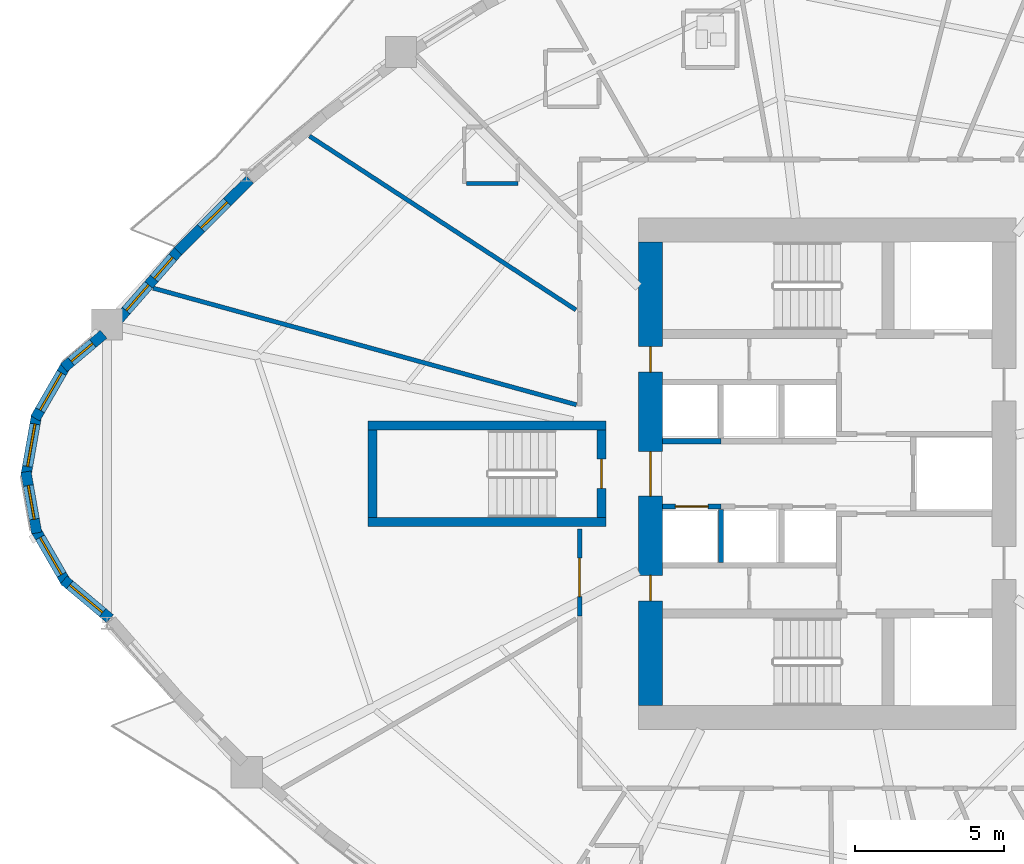
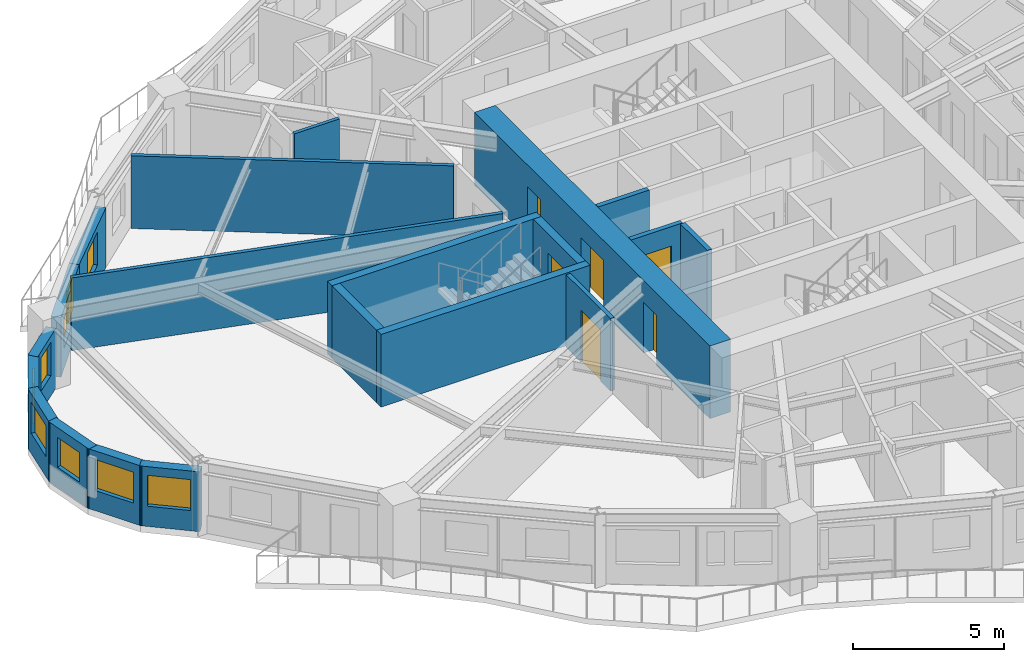
# One storey, part 4 of 13: 20 walls, 9 windows, 6 doors, 15 openings.
"""IFC4 building model written with IfcOpenShell, lengths in metres."""

import ifcopenshell
import ifcopenshell.guid

model = None  # the IFC model being written
_history = None  # IfcOwnerHistory: only IFC2X3 demands one
_inside = {}  # id of a spatial element -> (the spatial element, [elements in it])
_under = {}  # id of a project, library or spatial element -> (it, [spatial elements below it])
_declared = {}  # id of a project -> (the project, [libraries it declares])
_typed = {}  # id of a type object -> (the type object, [elements of that type])
_made_of = {}  # id of a material, layer set ... -> (it, [elements and type objects made of it])


def new_model(schema):
    """Start an empty IFC model of exactly this schema.

    Asked for "IFC4X3", IfcOpenShell would pick the latest addendum, in which some entities
    have other attributes; the version numbers below select the first issue.
    IFC2X3 requires an IfcOwnerHistory on every rooted entity: one is made here for all.
    """
    global model, _history
    if schema == "IFC4X3":
        model = ifcopenshell.file(schema_version=(4, 3, 0, 0))
    else:
        model = ifcopenshell.file(schema=schema)
    _inside.clear()
    _under.clear()
    _declared.clear()
    _typed.clear()
    _made_of.clear()
    _history = None
    if model.schema == "IFC2X3":
        org = make("IfcOrganization", Name="unknown")
        user = make(
            "IfcPersonAndOrganization",
            ThePerson=make("IfcPerson", FamilyName="unknown"),
            TheOrganization=org,
        )
        app = make(
            "IfcApplication",
            ApplicationDeveloper=org,
            Version="unknown",
            ApplicationFullName="unknown",
            ApplicationIdentifier="unknown",
        )
        _history = make(
            "IfcOwnerHistory",
            OwningUser=user,
            OwningApplication=app,
            ChangeAction="ADDED",
            CreationDate=0,
        )
    return model


def make(cls, **values):
    """One entity of the class cls with the attributes given. An attribute that is None is left unset."""
    return model.create_entity(
        cls, **{name: value for name, value in values.items() if value is not None}
    )


def rooted(cls, **values):
    """An entity with a GlobalId (a new one), such as an element, a storey or a relation."""
    return make(cls, GlobalId=ifcopenshell.guid.new(), OwnerHistory=_history, **values)


def si_unit(unit_type, name, prefix=None):
    """IfcSIUnit, for example si_unit("LENGTHUNIT", "METRE", prefix="MILLI")."""
    return make("IfcSIUnit", UnitType=unit_type, Prefix=prefix, Name=name)


def assignment(units):
    """IfcUnitAssignment: the units of a project."""
    return None if units is None else make("IfcUnitAssignment", Units=units)


def point(xyz):
    """IfcCartesianPoint."""
    return None if xyz is None else make("IfcCartesianPoint", Coordinates=xyz)


def direction(xyz):
    """IfcDirection."""
    return None if xyz is None else make("IfcDirection", DirectionRatios=xyz)


def frame(location, z_axis=None, x_axis=None):
    """IfcAxis2Placement3D, a coordinate frame: its origin and axes. An axis left out is left unset."""
    return make(
        "IfcAxis2Placement3D",
        Location=point(location),
        Axis=direction(z_axis),
        RefDirection=direction(x_axis),
    )


def frame_2d(location, x_axis=None):
    """IfcAxis2Placement2D, a coordinate frame in the plane: its origin and x axis."""
    return make(
        "IfcAxis2Placement2D", Location=point(location), RefDirection=direction(x_axis)
    )


def origin():
    """The frame at (0, 0, 0) with its axes left unset."""
    return frame((0.0, 0.0, 0.0))


def place(relative_to, where):
    """IfcLocalPlacement: puts the frame where relative to a parent placement (None: the world)."""
    return make(
        "IfcLocalPlacement", PlacementRelTo=relative_to, RelativePlacement=where
    )


def context(
    kind, dimensions, precision=None, world=None, true_north=None, identifier=None
):
    """IfcGeometricRepresentationContext, for example the 3D "Model" context."""
    return make(
        "IfcGeometricRepresentationContext",
        ContextIdentifier=identifier,
        ContextType=kind,
        CoordinateSpaceDimension=dimensions,
        Precision=precision,
        WorldCoordinateSystem=world,
        TrueNorth=true_north,
    )


def subcontext(parent, identifier, kind, view, scale=None):
    """IfcGeometricRepresentationSubContext, for example "Body" below "Model"."""
    return make(
        "IfcGeometricRepresentationSubContext",
        ContextIdentifier=identifier,
        ContextType=kind,
        ParentContext=parent,
        TargetScale=scale,
        TargetView=view,
    )


def project(units=None, contexts=None):
    """IfcProject with its units and contexts."""
    return rooted(
        "IfcProject",
        Name="project",
        RepresentationContexts=contexts,
        UnitsInContext=assignment(units),
    )


def spatial(cls, under=None, at=None, **own):
    """A site, building, storey or space (cls), placed at a placement, below another one or the project."""
    s = rooted(cls, ObjectPlacement=at, **own)
    if under is not None:
        _under.setdefault(under.id(), (under, []))[1].append(s)
    return s


def profile(cls, at=None, kind="AREA", **sizes):
    """A parametric profile (cls). Its sizes go by their IFC names, for example OverallWidth=200.0."""
    return make(cls, ProfileType=kind, Position=at, **sizes)


def rectangle(**sizes):
    """IfcRectangleProfileDef."""
    return profile("IfcRectangleProfileDef", **sizes)


def extrude(swept, where, along, depth):
    """IfcExtrudedAreaSolid: the profile swept, set in the frame where, extruded along a direction by depth."""
    return make(
        "IfcExtrudedAreaSolid",
        SweptArea=swept,
        Position=where,
        ExtrudedDirection=direction(along),
        Depth=depth,
    )


def shape(context_of_items, identifier, shape_type, items):
    """IfcShapeRepresentation: the items that make up one representation, for example the "Body"."""
    return make(
        "IfcShapeRepresentation",
        ContextOfItems=context_of_items,
        RepresentationIdentifier=identifier,
        RepresentationType=shape_type,
        Items=items,
    )


def source(mapping_origin, context_of_items, identifier, shape_type, items):
    """IfcRepresentationMap: a shape defined once, which mapped items show again and again."""
    return make(
        "IfcRepresentationMap",
        MappingOrigin=mapping_origin,
        MappedRepresentation=shape(context_of_items, identifier, shape_type, items),
    )


def transform(
    local_origin,
    x_axis=None,
    y_axis=None,
    z_axis=None,
    scale=None,
    scale2=None,
    scale3=None,
    uniform=True,
):
    """IfcCartesianTransformationOperator3D, or its non-uniform kind. x_axis, y_axis, z_axis: its Axis1, 2, 3."""
    if uniform:
        return make(
            "IfcCartesianTransformationOperator3D",
            Axis1=direction(x_axis),
            Axis2=direction(y_axis),
            LocalOrigin=point(local_origin),
            Scale=scale,
            Axis3=direction(z_axis),
        )
    return make(
        "IfcCartesianTransformationOperator3DnonUniform",
        Axis1=direction(x_axis),
        Axis2=direction(y_axis),
        LocalOrigin=point(local_origin),
        Scale=scale,
        Axis3=direction(z_axis),
        Scale2=scale2,
        Scale3=scale3,
    )


def mapped(mapping_source, mapping_target):
    """IfcMappedItem: shows the shape of a source again, moved by a transform."""
    return make(
        "IfcMappedItem", MappingSource=mapping_source, MappingTarget=mapping_target
    )


def material(Name=None, Category=None):
    """IfcMaterial."""
    return make("IfcMaterial", Name=Name, Category=Category)


def layer(
    of_material, thickness, ventilated=None, Name=None, Category=None, Priority=None
):
    """IfcMaterialLayer: one layer of a wall or slab, of a material (None: an air gap)."""
    return make(
        "IfcMaterialLayer",
        Material=of_material,
        LayerThickness=thickness,
        IsVentilated=ventilated,
        Name=Name,
        Category=Category,
        Priority=Priority,
    )


def layer_set(layers, Name=None):
    """IfcMaterialLayerSet."""
    return make("IfcMaterialLayerSet", MaterialLayers=layers, LayerSetName=Name)


def made_of(thing, what):
    """Note that an element or type object is made of a material, layer set ...; save() writes the relation."""
    if what is not None:
        _made_of.setdefault(what.id(), (what, []))[1].append(thing)
    return thing


def type_object(cls, material=None, **own):
    """A type object (cls), such as IfcWallType, which elements share."""
    return made_of(rooted(cls, **own), material)


def element(
    cls,
    number,
    at=None,
    inside=None,
    cuts=None,
    type_object=None,
    material=None,
    context=None,
    identifier="Body",
    shape_type=None,
    held_by="IfcProductDefinitionShape",
    body=None,
    shapes=None,
    **own,
):
    """One element of the class cls, such as IfcWall. Its Tag is "e" and its number.

    at: its placement. inside: the storey or other place that contains it. cuts: it is an
    opening in that element (IfcRelVoidsElement). A single representation is given by context,
    identifier, shape_type and body (its items); several are given by shapes. held_by: the class
    of the entity that holds the representations. save() writes the other relations.
    """
    e = rooted(cls, Tag="e%d" % number, ObjectPlacement=at, **own)
    if body is not None:
        shapes = [shape(context, identifier, shape_type, body)]
    if shapes is not None:
        e.Representation = make(held_by, Representations=shapes)
    if inside is not None:
        _inside.setdefault(inside.id(), (inside, []))[1].append(e)
    if cuts is not None:
        rooted(
            "IfcRelVoidsElement", RelatingBuildingElement=cuts, RelatedOpeningElement=e
        )
    if type_object is not None:
        _typed.setdefault(type_object.id(), (type_object, []))[1].append(e)
    return made_of(e, material)


def fill(opening, filler):
    """IfcRelFillsElement: the door or window that sits in an opening."""
    return rooted(
        "IfcRelFillsElement",
        RelatingOpeningElement=opening,
        RelatedBuildingElement=filler,
    )


def aggregate(whole, parts):
    """IfcRelAggregates: a whole, such as a stair, and the parts it consists of."""
    return rooted("IfcRelAggregates", RelatingObject=whole, RelatedObjects=parts)


def save(model, path):
    """Write the relations noted so far, then the file.

    IfcRelAggregates (storeys below a building ...), IfcRelContainedInSpatialStructure (elements
    in a storey), IfcRelDefinesByType, IfcRelAssociatesMaterial and IfcRelDeclares: one each for
    every whole, place, type object, material and project.
    """
    for whole, parts in _under.values():
        aggregate(whole, parts)
    for where, things in _inside.values():
        rooted(
            "IfcRelContainedInSpatialStructure",
            RelatedElements=things,
            RelatingStructure=where,
        )
    for kind, things in _typed.values():
        rooted("IfcRelDefinesByType", RelatedObjects=things, RelatingType=kind)
    for what, things in _made_of.values():
        rooted("IfcRelAssociatesMaterial", RelatedObjects=things, RelatingMaterial=what)
    for by, libraries in _declared.values():
        rooted("IfcRelDeclares", RelatingContext=by, RelatedDefinitions=libraries)
    model.write(path)


model = new_model("IFC4")

# Units and contexts
model_context = context("Model", 3, precision=1e-05, world=origin(), true_north=direction((0.0, 1.0)))
body_context = subcontext(model_context, "Body", "Model", "MODEL_VIEW")
ifc_project = project(units=[si_unit("LENGTHUNIT", "METRE"), si_unit("AREAUNIT", "SQUARE_METRE"), si_unit("VOLUMEUNIT", "CUBIC_METRE"), si_unit("PLANEANGLEUNIT", "RADIAN"), si_unit("MASSUNIT", "GRAM", prefix="KILO")], contexts=[model_context])

# Site, building, storey
site_placement = place(None, origin())
site = spatial("IfcSite", under=ifc_project, at=site_placement, CompositionType="ELEMENT")
building_placement = place(site_placement, origin())
building = spatial("IfcBuilding", under=site, at=building_placement, Name="Qafzar Sky-Pleat Residences", CompositionType="ELEMENT")
storey_placement = place(building_placement, frame((0.0, 0.0, 52.60009765625)))
storey = spatial("IfcBuildingStorey", under=building, at=storey_placement, Name="L15", CompositionType="ELEMENT", Elevation=52.60009765625)

# Wall, opening, door
ifc_material_1 = material(Name="Acoustic gypsum plasterboard partition", Category="gypsum")
ifc_layer_1 = layer(ifc_material_1, 0.159912109375)
ifc_layer_set_1 = layer_set([ifc_layer_1], Name="Acoustic gypsum plasterboard partition")
wall_type_1 = type_object("IfcWallType", Name="PART-COR-160", PredefinedType="PARTITIONING", material=ifc_layer_set_1)
wall_1_placement = place(storey_placement, frame((22.02001953125, 21.220947265625, 0.0), z_axis=(0.0, 0.0, 1.0), x_axis=(0.0, 1.0, 0.0)))
wall_1 = element("IfcWall", 1, at=wall_1_placement, inside=storey, type_object=wall_type_1, Name="L15 Partition Wall PART-L15-PW-009", PredefinedType="PARTITIONING", context=body_context, shape_type="SweptSolid", body=[
    extrude(rectangle(XDim=2.928955078125, YDim=0.159912109375, at=frame_2d((1.46435546875, 0.0))), origin(), (0.0, 0.0, 1.0), 2.93994140625),
])
opening_1_placement = place(wall_1_placement, frame((0.64501953125, 0.0, 0.0)))
opening_1 = element("IfcOpeningElement", 2, at=opening_1_placement, cuts=wall_1, Name="Opening ID-05", PredefinedType="OPENING", context=body_context, shape_type="SweptSolid", body=[
    extrude(rectangle(XDim=1.300048828125, YDim=2.10009765625, at=frame_2d((0.64990234375, 1.050048828125))), frame((0.0, 0.08984375, 0.0), z_axis=(0.0, -1.0, 0.0), x_axis=(1.0, 0.0, 0.0)), (0.0, 0.0, 1.0), 0.179931640625),
])
ifc_material_2 = material(Name="Timber-faced fire door", Category="wood")
door_type_1 = type_object("IfcDoorType", Name="DR-LNG-1300", OperationType="DOUBLE_DOOR_SINGLE_SWING", PredefinedType="DOOR", material=ifc_material_2)
shared_shape_1 = source(origin(), body_context, "Body", "SweptSolid", [
    extrude(rectangle(XDim=1.300048828125, YDim=2.10009765625, at=frame_2d((0.64990234375, 1.050048828125))), frame((0.0, 0.02490234375, 0.0), z_axis=(0.0, -1.0, 0.0), x_axis=(1.0, 0.0, 0.0)), (0.0, 0.0, 1.0), 0.050048828125),
])
door_1_placement = place(opening_1_placement, origin())
door_1 = element("IfcDoor", 3, at=door_1_placement, inside=storey, type_object=door_type_1, Name="L15 Academic Seminar Room Door", OperationType="DOUBLE_DOOR_SINGLE_SWING", OverallHeight=2.10009765625, OverallWidth=1.300048828125, PredefinedType="DOOR", context=body_context, shape_type="MappedRepresentation", body=[
    mapped(shared_shape_1, transform((0.0, 0.0, 0.0), x_axis=(1.0, 0.0, 0.0), y_axis=(0.0, 1.0, 0.0), z_axis=(0.0, 0.0, 1.0), scale=1.0)),
])
fill(opening_1, door_1)

ifc_material_3 = material(Name="Concrete blockwork partition", Category="masonry")
ifc_layer_2 = layer(ifc_material_3, 0.179931640625)
ifc_layer_set_2 = layer_set([ifc_layer_2], Name="Concrete blockwork partition")
wall_type_2 = type_object("IfcWallType", Name="PART-SHAFT-180", PredefinedType="PARTITIONING", material=ifc_layer_set_2)
wall_2_placement = place(storey_placement, frame((24.81005859375, 24.89990234375, 0.0), z_axis=(0.0, 0.0, 1.0), x_axis=(1.0, 0.0, 0.0)))
wall_2 = element("IfcWall", 4, at=wall_2_placement, inside=storey, type_object=wall_type_2, Name="L15 Partition Wall PART-L15-P1-N", PredefinedType="PARTITIONING", context=body_context, shape_type="SweptSolid", body=[
    extrude(rectangle(XDim=1.96484375, YDim=0.179931640625, at=frame_2d((0.982421875, 0.0))), origin(), (0.0, 0.0, 1.0), 2.93994140625),
])
opening_2_placement = place(wall_2_placement, frame((0.4326171875, 0.0, 0.0)))
opening_2 = element("IfcOpeningElement", 5, at=opening_2_placement, cuts=wall_2, Name="Opening LD-01", PredefinedType="OPENING", context=body_context, shape_type="SweptSolid", body=[
    extrude(rectangle(XDim=1.10009765625, YDim=2.14990234375, at=frame_2d((0.550048828125, 1.074951171875))), frame((0.0, 0.10009765625, 0.0), z_axis=(0.0, -1.0, 0.0), x_axis=(1.0, 0.0, 0.0)), (0.0, 0.0, 1.0), 0.199951171875),
])
ifc_material_4 = material(Name="Stainless steel sliding landing door", Category="steel")
door_type_2 = type_object("IfcDoorType", Name="DR-LIFT-P", OperationType="DOUBLE_DOOR_SLIDING", PredefinedType="DOOR", material=ifc_material_4)
shared_shape_2 = source(origin(), body_context, "Body", "SweptSolid", [
    extrude(rectangle(XDim=1.10009765625, YDim=2.14990234375, at=frame_2d((0.550048828125, 1.074951171875))), frame((0.0, 0.02490234375, 0.0), z_axis=(0.0, -1.0, 0.0), x_axis=(1.0, 0.0, 0.0)), (0.0, 0.0, 1.0), 0.050048828125),
])
door_2_placement = place(opening_2_placement, origin())
door_2 = element("IfcDoor", 6, at=door_2_placement, inside=storey, type_object=door_type_2, Name="L15 Passenger Lift P1 Landing Door", OperationType="DOUBLE_DOOR_SLIDING", OverallHeight=2.14990234375, OverallWidth=1.10009765625, PredefinedType="DOOR", context=body_context, shape_type="MappedRepresentation", body=[
    mapped(shared_shape_2, transform((0.0, 0.0, 0.0), x_axis=(1.0, 0.0, 0.0), y_axis=(0.0, 1.0, 0.0), z_axis=(0.0, 0.0, 1.0), scale=1.0)),
])
fill(opening_2, door_2)

# Walls
wall_3_placement = place(storey_placement, frame((26.77490234375, 23.02001953125, 0.0), z_axis=(0.0, 0.0, 1.0), x_axis=(0.0, 1.0, 0.0)))
element("IfcWall", 7, at=wall_3_placement, inside=storey, type_object=wall_type_2, Name="L15 Partition Wall PART-L15-P13-DIV-1", PredefinedType="PARTITIONING", context=body_context, shape_type="SweptSolid", body=[
    extrude(rectangle(XDim=1.780029296875, YDim=0.179931640625, at=frame_2d((0.89013671875, 0.0))), origin(), (0.0, 0.0, 1.0), 2.93994140625),
])
wall_4_placement = place(storey_placement, frame((24.81005859375, 27.10009765625, 0.0), z_axis=(0.0, 0.0, 1.0), x_axis=(1.0, 0.0, 0.0)))
element("IfcWall", 8, at=wall_4_placement, inside=storey, type_object=wall_type_2, Name="L15 Partition Wall PART-L15-P4-S", PredefinedType="PARTITIONING", context=body_context, shape_type="SweptSolid", body=[
    extrude(rectangle(XDim=1.96484375, YDim=0.179931640625, at=frame_2d((0.982421875, 0.0))), origin(), (0.0, 0.0, 1.0), 2.93994140625),
])
ifc_layer_3 = layer(ifc_material_1, 0.14501953125)
ifc_layer_set_3 = layer_set([ifc_layer_3], Name="Acoustic gypsum plasterboard partition")
wall_type_3 = type_object("IfcWallType", Name="PART-UNIT-145", PredefinedType="PARTITIONING", material=ifc_layer_set_3)
wall_5_placement = place(storey_placement, frame((7.668212890625, 32.247802734375, 0.0), z_axis=(0.0, 0.0, 1.0), x_axis=(0.964084579717, -0.265595412521, 0.0)))
element("IfcWall", 9, at=wall_5_placement, inside=storey, type_object=wall_type_3, Name="L15 Partition Wall PART-L15-PW-030", PredefinedType="PARTITIONING", context=body_context, shape_type="SweptSolid", body=[
    extrude(rectangle(XDim=14.775634765625, YDim=0.14501953125, at=frame_2d((7.3876953125, 0.0))), origin(), (0.0, 0.0, 1.0), 2.93994140625),
])
wall_6_placement = place(storey_placement, frame((12.9287109375, 37.36474609375, 0.0), z_axis=(0.0, 0.0, 1.0), x_axis=(0.83754252852, -0.54637213776, 0.0)))
element("IfcWall", 10, at=wall_6_placement, inside=storey, type_object=wall_type_3, Name="L15 Partition Wall PART-L15-PW-036", PredefinedType="PARTITIONING", context=body_context, shape_type="SweptSolid", body=[
    extrude(rectangle(XDim=10.7041015625, YDim=0.14501953125, at=frame_2d((5.35205078125, 0.0))), origin(), (0.0, 0.0, 1.0), 2.93994140625),
])
ifc_material_5 = material(Name="Moisture-resistant gypsum partition", Category="gypsum")
ifc_layer_4 = layer(ifc_material_5, 0.1298828125)
ifc_layer_set_4 = layer_set([ifc_layer_4], Name="Moisture-resistant gypsum partition")
wall_type_4 = type_object("IfcWallType", Name="PART-WET-130", PredefinedType="PARTITIONING", material=ifc_layer_set_4)
wall_7_placement = place(storey_placement, frame((18.2109375, 35.763916015625, 0.0), z_axis=(0.0, 0.0, 1.0), x_axis=(1.0, 0.0, 0.0)))
element("IfcWall", 11, at=wall_7_placement, inside=storey, type_object=wall_type_4, Name="L15 Partition Wall PART-L15-PW-066", PredefinedType="PARTITIONING", context=body_context, shape_type="SweptSolid", body=[
    extrude(rectangle(XDim=1.72705078125, YDim=0.1298828125, at=frame_2d((0.863525390625, 0.0))), origin(), (0.0, 0.0, 1.0), 2.93994140625),
])

# Wall, opening, window
ifc_material_6 = material(Name="Precast concrete C40/50 with honed Riyadh limestone", Category="concrete")
ifc_layer_5 = layer(ifc_material_6, 0.35009765625)
ifc_layer_set_5 = layer_set([ifc_layer_5], Name="Precast concrete C40/50 with honed Riyadh limestone")
wall_type_5 = type_object("IfcWallType", Name="WALL-EXT-350", PredefinedType="SOLIDWALL", material=ifc_layer_set_5)
wall_8_placement = place(storey_placement, frame((6.002685546875, 30.696044921875, 0.0), z_axis=(0.0, 0.0, 1.0), x_axis=(-0.766001205563, -0.64283913468, 0.0)))
wall_8 = element("IfcWall", 12, at=wall_8_placement, inside=storey, type_object=wall_type_5, Name="L15 Limestone Facade Wall 1", PredefinedType="SOLIDWALL", context=body_context, shape_type="SweptSolid", body=[
    extrude(rectangle(XDim=1.75244140625, YDim=0.35009765625, at=frame_2d((0.876220703125, 0.0))), origin(), (0.0, 0.0, 1.0), 2.419921875),
])
opening_3_placement = place(wall_8_placement, frame((0.476318359375, 0.0, 0.820068359375)))
opening_3 = element("IfcOpeningElement", 13, at=opening_3_placement, cuts=wall_8, Name="Opening WN-12", PredefinedType="OPENING", context=body_context, shape_type="SweptSolid", body=[
    extrude(rectangle(XDim=0.949951171875, YDim=1.35009765625, at=frame_2d((0.47509765625, 0.675048828125))), frame((0.0, 0.18505859375, 0.0), z_axis=(0.0, -1.0, 0.0), x_axis=(1.0, 0.0, 0.0)), (0.0, 0.0, 1.0), 0.3701171875),
])
ifc_material_7 = material(Name="Solar-control low-E glass in bronze aluminium frame", Category="glass")
window_type_1 = type_object("IfcWindowType", Name="WIN-12", PartitioningType="SINGLE_PANEL", PredefinedType="WINDOW", material=ifc_material_7)
shared_shape_3 = source(origin(), body_context, "Body", "SweptSolid", [
    extrude(rectangle(XDim=0.949951171875, YDim=1.35009765625, at=frame_2d((0.47509765625, 0.675048828125))), frame((0.0, 0.030029296875, 0.0), z_axis=(0.0, -1.0, 0.0), x_axis=(1.0, 0.0, 0.0)), (0.0, 0.0, 1.0), 0.06005859375),
])
window_1_placement = place(opening_3_placement, origin())
window_1 = element("IfcWindow", 14, at=window_1_placement, inside=storey, type_object=window_type_1, Name="L15 Punched Facade Window 01", OverallHeight=1.35009765625, OverallWidth=0.949951171875, PartitioningType="SINGLE_PANEL", PredefinedType="WINDOW", context=body_context, shape_type="MappedRepresentation", body=[
    mapped(shared_shape_3, transform((0.0, 0.0, 0.0), x_axis=(1.0, 0.0, 0.0), y_axis=(0.0, 1.0, 0.0), z_axis=(0.0, 0.0, 1.0), scale=1.0)),
])
fill(opening_3, window_1)

wall_9_placement = place(storey_placement, frame((4.74755859375, 29.673583984375, 0.0), z_axis=(0.0, 0.0, 1.0), x_axis=(-0.499995423472, -0.866028046028, 0.0)))
wall_9 = element("IfcWall", 15, at=wall_9_placement, inside=storey, type_object=wall_type_5, Name="L15 Limestone Facade Wall 2", PredefinedType="SOLIDWALL", context=body_context, shape_type="SweptSolid", body=[
    extrude(rectangle(XDim=2.09033203125, YDim=0.35009765625, at=frame_2d((1.045166015625, 0.0))), origin(), (0.0, 0.0, 1.0), 2.419921875),
])
opening_4_placement = place(wall_9_placement, frame((0.3203125, 0.0, 0.820068359375)))
opening_4 = element("IfcOpeningElement", 16, at=opening_4_placement, cuts=wall_9, Name="Opening WN-15", PredefinedType="OPENING", context=body_context, shape_type="SweptSolid", body=[
    extrude(rectangle(XDim=1.449951171875, YDim=1.25, at=frame_2d((0.72509765625, 0.625))), frame((0.0, 0.18505859375, 0.0), z_axis=(0.0, -1.0, 0.0), x_axis=(1.0, 0.0, 0.0)), (0.0, 0.0, 1.0), 0.3701171875),
])
window_type_2 = type_object("IfcWindowType", Name="WIN-15", PartitioningType="SINGLE_PANEL", PredefinedType="WINDOW", material=ifc_material_7)
shared_shape_4 = source(origin(), body_context, "Body", "SweptSolid", [
    extrude(rectangle(XDim=1.449951171875, YDim=1.25, at=frame_2d((0.72509765625, 0.625))), frame((0.0, 0.030029296875, 0.0), z_axis=(0.0, -1.0, 0.0), x_axis=(1.0, 0.0, 0.0)), (0.0, 0.0, 1.0), 0.06005859375),
])
window_2_placement = place(opening_4_placement, origin())
window_2 = element("IfcWindow", 17, at=window_2_placement, inside=storey, type_object=window_type_2, Name="L15 Punched Facade Window 02", OverallHeight=1.25, OverallWidth=1.449951171875, PartitioningType="SINGLE_PANEL", PredefinedType="WINDOW", context=body_context, shape_type="MappedRepresentation", body=[
    mapped(shared_shape_4, transform((0.0, 0.0, 0.0), x_axis=(1.0, 0.0, 0.0), y_axis=(0.0, 1.0, 0.0), z_axis=(0.0, 0.0, 1.0), scale=1.0)),
])
fill(opening_4, window_2)

wall_10_placement = place(storey_placement, frame((3.748779296875, 27.99072265625, 0.0), z_axis=(0.0, 0.0, 1.0), x_axis=(-0.173672066494, -0.984803540469, 0.0)))
wall_10 = element("IfcWall", 18, at=wall_10_placement, inside=storey, type_object=wall_type_5, Name="L15 Limestone Facade Wall 3", PredefinedType="SOLIDWALL", context=body_context, shape_type="SweptSolid", body=[
    extrude(rectangle(XDim=2.09033203125, YDim=0.35009765625, at=frame_2d((1.045166015625, 0.0))), origin(), (0.0, 0.0, 1.0), 2.419921875),
])
opening_5_placement = place(wall_10_placement, frame((0.3203125, 0.0, 0.820068359375)))
opening_5 = element("IfcOpeningElement", 19, at=opening_5_placement, cuts=wall_10, Name="Opening WN-15", PredefinedType="OPENING", context=body_context, shape_type="SweptSolid", body=[
    extrude(rectangle(XDim=1.449951171875, YDim=1.25, at=frame_2d((0.72509765625, 0.625))), frame((0.0, 0.18505859375, 0.0), z_axis=(0.0, -1.0, 0.0), x_axis=(1.0, 0.0, 0.0)), (0.0, 0.0, 1.0), 0.3701171875),
])
window_3_placement = place(opening_5_placement, origin())
window_3 = element("IfcWindow", 20, at=window_3_placement, inside=storey, type_object=window_type_2, Name="L15 Punched Facade Window 03", OverallHeight=1.25, OverallWidth=1.449951171875, PartitioningType="SINGLE_PANEL", PredefinedType="WINDOW", context=body_context, shape_type="MappedRepresentation", body=[
    mapped(shared_shape_4, transform((0.0, 0.0, 0.0), x_axis=(1.0, 0.0, 0.0), y_axis=(0.0, 1.0, 0.0), z_axis=(0.0, 0.0, 1.0), scale=1.0)),
])
fill(opening_5, window_3)

wall_11_placement = place(storey_placement, frame((3.3857421875, 26.06787109375, 0.0), z_axis=(0.0, 0.0, 1.0), x_axis=(0.173672066494, -0.984803540469, 0.0)))
wall_11 = element("IfcWall", 21, at=wall_11_placement, inside=storey, type_object=wall_type_5, Name="L15 Limestone Facade Wall 4", PredefinedType="SOLIDWALL", context=body_context, shape_type="SweptSolid", body=[
    extrude(rectangle(XDim=2.09033203125, YDim=0.35009765625, at=frame_2d((1.045166015625, 0.0))), origin(), (0.0, 0.0, 1.0), 2.419921875),
])
opening_6_placement = place(wall_11_placement, frame((0.47021484375, 0.0, 0.820068359375)))
opening_6 = element("IfcOpeningElement", 22, at=opening_6_placement, cuts=wall_11, Name="Opening WN-16", PredefinedType="OPENING", context=body_context, shape_type="SweptSolid", body=[
    extrude(rectangle(XDim=1.14990234375, YDim=1.199951171875, at=frame_2d((0.574951171875, 0.60009765625))), frame((0.0, 0.18505859375, 0.0), z_axis=(0.0, -1.0, 0.0), x_axis=(1.0, 0.0, 0.0)), (0.0, 0.0, 1.0), 0.3701171875),
])
window_type_3 = type_object("IfcWindowType", Name="WIN-16", PartitioningType="SINGLE_PANEL", PredefinedType="WINDOW", material=ifc_material_7)
shared_shape_5 = source(origin(), body_context, "Body", "SweptSolid", [
    extrude(rectangle(XDim=1.14990234375, YDim=1.199951171875, at=frame_2d((0.574951171875, 0.60009765625))), frame((0.0, 0.030029296875, 0.0), z_axis=(0.0, -1.0, 0.0), x_axis=(1.0, 0.0, 0.0)), (0.0, 0.0, 1.0), 0.06005859375),
])
window_4_placement = place(opening_6_placement, origin())
window_4 = element("IfcWindow", 23, at=window_4_placement, inside=storey, type_object=window_type_3, Name="L15 Punched Facade Window 04", OverallHeight=1.199951171875, OverallWidth=1.14990234375, PartitioningType="SINGLE_PANEL", PredefinedType="WINDOW", context=body_context, shape_type="MappedRepresentation", body=[
    mapped(shared_shape_5, transform((0.0, 0.0, 0.0), x_axis=(1.0, 0.0, 0.0), y_axis=(0.0, 1.0, 0.0), z_axis=(0.0, 0.0, 1.0), scale=1.0)),
])
fill(opening_6, window_4)

wall_12_placement = place(storey_placement, frame((3.702392578125, 24.13671875, 0.0), z_axis=(0.0, 0.0, 1.0), x_axis=(0.499995423472, -0.866028046028, 0.0)))
wall_12 = element("IfcWall", 24, at=wall_12_placement, inside=storey, type_object=wall_type_5, Name="L15 Limestone Facade Wall 5", PredefinedType="SOLIDWALL", context=body_context, shape_type="SweptSolid", body=[
    extrude(rectangle(XDim=2.09033203125, YDim=0.35009765625, at=frame_2d((1.045166015625, 0.0))), origin(), (0.0, 0.0, 1.0), 2.419921875),
])
opening_7_placement = place(wall_12_placement, frame((0.3203125, 0.0, 0.820068359375)))
opening_7 = element("IfcOpeningElement", 25, at=opening_7_placement, cuts=wall_12, Name="Opening WN-15", PredefinedType="OPENING", context=body_context, shape_type="SweptSolid", body=[
    extrude(rectangle(XDim=1.449951171875, YDim=1.25, at=frame_2d((0.72509765625, 0.625))), frame((0.0, 0.18505859375, 0.0), z_axis=(0.0, -1.0, 0.0), x_axis=(1.0, 0.0, 0.0)), (0.0, 0.0, 1.0), 0.3701171875),
])
window_5_placement = place(opening_7_placement, origin())
window_5 = element("IfcWindow", 26, at=window_5_placement, inside=storey, type_object=window_type_2, Name="L15 Punched Facade Window 05", OverallHeight=1.25, OverallWidth=1.449951171875, PartitioningType="SINGLE_PANEL", PredefinedType="WINDOW", context=body_context, shape_type="MappedRepresentation", body=[
    mapped(shared_shape_4, transform((0.0, 0.0, 0.0), x_axis=(1.0, 0.0, 0.0), y_axis=(0.0, 1.0, 0.0), z_axis=(0.0, 0.0, 1.0), scale=1.0)),
])
fill(opening_7, window_5)

wall_13_placement = place(storey_placement, frame((4.660400390625, 22.430419921875, 0.0), z_axis=(0.0, 0.0, 1.0), x_axis=(0.766040796373, -0.642791955684, 0.0)))
wall_13 = element("IfcWall", 27, at=wall_13_placement, inside=storey, type_object=wall_type_5, Name="L15 Limestone Facade Wall 6", PredefinedType="SOLIDWALL", context=body_context, shape_type="SweptSolid", body=[
    extrude(rectangle(XDim=2.032470703125, YDim=0.35009765625, at=frame_2d((1.01611328125, 0.0))), origin(), (0.0, 0.0, 1.0), 2.419921875),
])
opening_8_placement = place(wall_13_placement, frame((0.26123046875, 0.0, 0.820068359375)))
opening_8 = element("IfcOpeningElement", 28, at=opening_8_placement, cuts=wall_13, Name="Opening WN-15", PredefinedType="OPENING", context=body_context, shape_type="SweptSolid", body=[
    extrude(rectangle(XDim=1.449951171875, YDim=1.25, at=frame_2d((0.72509765625, 0.625))), frame((0.0, 0.18505859375, 0.0), z_axis=(0.0, -1.0, 0.0), x_axis=(1.0, 0.0, 0.0)), (0.0, 0.0, 1.0), 0.3701171875),
])
window_6_placement = place(opening_8_placement, origin())
window_6 = element("IfcWindow", 29, at=window_6_placement, inside=storey, type_object=window_type_2, Name="L15 Punched Facade Window 06", OverallHeight=1.25, OverallWidth=1.449951171875, PartitioningType="SINGLE_PANEL", PredefinedType="WINDOW", context=body_context, shape_type="MappedRepresentation", body=[
    mapped(shared_shape_4, transform((0.0, 0.0, 0.0), x_axis=(1.0, 0.0, 0.0), y_axis=(0.0, 1.0, 0.0), z_axis=(0.0, 0.0, 1.0), scale=1.0)),
])
fill(opening_8, window_6)

wall_14_placement = place(storey_placement, frame((10.924072265625, 35.9033203125, 0.0), z_axis=(0.0, 0.0, 1.0), x_axis=(-0.708390611179, -0.705820616016, 0.0)))
wall_14 = element("IfcWall", 30, at=wall_14_placement, inside=storey, type_object=wall_type_5, Name="L15 Limestone Facade Wall 47", PredefinedType="SOLIDWALL", context=body_context, shape_type="SweptSolid", body=[
    extrude(rectangle(XDim=3.419921875, YDim=0.35009765625, at=frame_2d((1.7099609375, 0.0))), origin(), (0.0, 0.0, 1.0), 2.419921875),
])
opening_9_placement = place(wall_14_placement, frame((1.074951171875, 0.0, 0.820068359375)))
opening_9 = element("IfcOpeningElement", 31, at=opening_9_placement, cuts=wall_14, Name="Opening WN-11", PredefinedType="OPENING", context=body_context, shape_type="SweptSolid", body=[
    extrude(rectangle(XDim=1.25, YDim=1.35009765625, at=frame_2d((0.625, 0.675048828125))), frame((0.0, 0.18505859375, 0.0), z_axis=(0.0, -1.0, 0.0), x_axis=(1.0, 0.0, 0.0)), (0.0, 0.0, 1.0), 0.3701171875),
])
window_type_4 = type_object("IfcWindowType", Name="WIN-11", PartitioningType="SINGLE_PANEL", PredefinedType="WINDOW", material=ifc_material_7)
shared_shape_6 = source(origin(), body_context, "Body", "SweptSolid", [
    extrude(rectangle(XDim=1.25, YDim=1.35009765625, at=frame_2d((0.625, 0.675048828125))), frame((0.0, 0.030029296875, 0.0), z_axis=(0.0, -1.0, 0.0), x_axis=(1.0, 0.0, 0.0)), (0.0, 0.0, 1.0), 0.06005859375),
])
window_7_placement = place(opening_9_placement, origin())
window_7 = element("IfcWindow", 32, at=window_7_placement, inside=storey, type_object=window_type_4, Name="L15 Punched Facade Window 47", OverallHeight=1.35009765625, OverallWidth=1.25, PartitioningType="SINGLE_PANEL", PredefinedType="WINDOW", context=body_context, shape_type="MappedRepresentation", body=[
    mapped(shared_shape_6, transform((0.0, 0.0, 0.0), x_axis=(1.0, 0.0, 0.0), y_axis=(0.0, 1.0, 0.0), z_axis=(0.0, 0.0, 1.0), scale=1.0)),
])
fill(opening_9, window_7)

# Wall, openings, windows
wall_15_placement = place(storey_placement, frame((8.5615234375, 33.5537109375, 0.0), z_axis=(0.0, 0.0, 1.0), x_axis=(-0.657600137419, -0.753367147722, 0.0)))
wall_15 = element("IfcWall", 33, at=wall_15_placement, inside=storey, type_object=wall_type_5, Name="L15 Limestone Facade Wall 48", PredefinedType="SOLIDWALL", context=body_context, shape_type="SweptSolid", body=[
    extrude(rectangle(XDim=3.212158203125, YDim=0.35009765625, at=frame_2d((1.60595703125, 0.0))), origin(), (0.0, 0.0, 1.0), 2.419921875),
])
opening_10_placement = place(wall_15_placement, frame((0.355712890625, 0.0, 0.820068359375)))
opening_10 = element("IfcOpeningElement", 34, at=opening_10_placement, cuts=wall_15, Name="Opening WN-12", PredefinedType="OPENING", context=body_context, shape_type="SweptSolid", body=[
    extrude(rectangle(XDim=0.949951171875, YDim=1.35009765625, at=frame_2d((0.47509765625, 0.675048828125))), frame((0.0, 0.18505859375, 0.0), z_axis=(0.0, -1.0, 0.0), x_axis=(1.0, 0.0, 0.0)), (0.0, 0.0, 1.0), 0.3701171875),
])
opening_11_placement = place(wall_15_placement, frame((1.587158203125, 0.0, 0.820068359375)))
opening_11 = element("IfcOpeningElement", 35, at=opening_11_placement, cuts=wall_15, Name="Opening WN-16", PredefinedType="OPENING", context=body_context, shape_type="SweptSolid", body=[
    extrude(rectangle(XDim=1.14990234375, YDim=1.199951171875, at=frame_2d((0.574951171875, 0.60009765625))), frame((0.0, 0.18505859375, 0.0), z_axis=(0.0, -1.0, 0.0), x_axis=(1.0, 0.0, 0.0)), (0.0, 0.0, 1.0), 0.3701171875),
])
window_8_placement = place(opening_10_placement, origin())
window_8 = element("IfcWindow", 36, at=window_8_placement, inside=storey, type_object=window_type_1, Name="L15 Punched Facade Window 48", OverallHeight=1.35009765625, OverallWidth=0.949951171875, PartitioningType="SINGLE_PANEL", PredefinedType="WINDOW", context=body_context, shape_type="MappedRepresentation", body=[
    mapped(shared_shape_3, transform((0.0, 0.0, 0.0), x_axis=(1.0, 0.0, 0.0), y_axis=(0.0, 1.0, 0.0), z_axis=(0.0, 0.0, 1.0), scale=1.0)),
])
fill(opening_10, window_8)
window_9_placement = place(opening_11_placement, origin())
window_9 = element("IfcWindow", 37, at=window_9_placement, inside=storey, type_object=window_type_3, Name="L15 Punched Facade Window 48-2", OverallHeight=1.199951171875, OverallWidth=1.14990234375, PartitioningType="SINGLE_PANEL", PredefinedType="WINDOW", context=body_context, shape_type="MappedRepresentation", body=[
    mapped(shared_shape_5, transform((0.0, 0.0, 0.0), x_axis=(1.0, 0.0, 0.0), y_axis=(0.0, 1.0, 0.0), z_axis=(0.0, 0.0, 1.0), scale=1.0)),
])
fill(opening_11, window_9)

# Walls
ifc_material_8 = material(Name="Concrete C60/75", Category="concrete")
ifc_layer_6 = layer(ifc_material_8, 0.300048828125)
ifc_layer_set_6 = layer_set([ifc_layer_6], Name="Concrete C60/75")
wall_type_6 = type_object("IfcWallType", Name="WALL-SHEAR-300", PredefinedType="SHEAR", material=ifc_layer_set_6)
for number, where, z_axis, x_axis, name in (
    (38, (14.89990234375, 24.375, 0.0), (0.0, 0.0, 1.0), (1.0, 0.0, 0.0), "L15 ST3 wall S"),
    (39, (22.89990234375, 27.625, 0.0), (0.0, 0.0, 1.0), (-1.0, 0.0, 0.0), "L15 ST3 wall N"),
):
    element("IfcWall", number, at=place(storey_placement, frame(where, z_axis=z_axis, x_axis=x_axis)), inside=storey, type_object=wall_type_6, Name=name, PredefinedType="SHEAR", context=body_context, shape_type="SweptSolid", body=[
        extrude(rectangle(XDim=8.0, YDim=0.300048828125, at=frame_2d((4.0, 0.0))), origin(), (0.0, 0.0, 1.0), 2.93994140625),
    ])
wall_16_placement = place(storey_placement, frame((15.050048828125, 27.47509765625, 0.0), z_axis=(0.0, 0.0, 1.0), x_axis=(0.0, -1.0, 0.0)))
element("IfcWall", 40, at=wall_16_placement, inside=storey, type_object=wall_type_6, Name="L15 ST3 wall W", PredefinedType="SHEAR", context=body_context, shape_type="SweptSolid", body=[
    extrude(rectangle(XDim=2.9501953125, YDim=0.300048828125, at=frame_2d((1.47509765625, 0.0))), origin(), (0.0, 0.0, 1.0), 2.93994140625),
])

# Wall, opening, door
wall_17_placement = place(storey_placement, frame((22.75, 24.52490234375, 0.0), z_axis=(0.0, 0.0, 1.0), x_axis=(0.0, 1.0, 0.0)))
wall_17 = element("IfcWall", 41, at=wall_17_placement, inside=storey, type_object=wall_type_6, Name="L15 ST3 wall E", PredefinedType="SHEAR", context=body_context, shape_type="SweptSolid", body=[
    extrude(rectangle(XDim=2.9501953125, YDim=0.300048828125, at=frame_2d((1.47509765625, 0.0))), origin(), (0.0, 0.0, 1.0), 2.93994140625),
])
opening_12_placement = place(wall_17_placement, frame((0.985107421875, 0.0, 0.0)))
opening_12 = element("IfcOpeningElement", 42, at=opening_12_placement, cuts=wall_17, Name="Opening ID-01", PredefinedType="OPENING", context=body_context, shape_type="SweptSolid", body=[
    extrude(rectangle(XDim=0.97998046875, YDim=2.14990234375, at=frame_2d((0.489990234375, 1.074951171875))), frame((0.0, 0.16015625, 0.0), z_axis=(0.0, -1.0, 0.0), x_axis=(1.0, 0.0, 0.0)), (0.0, 0.0, 1.0), 0.320068359375),
])
door_type_3 = type_object("IfcDoorType", Name="DR-STAIR-980", OperationType="NOTDEFINED", PredefinedType="DOOR", material=ifc_material_2)
shared_shape_7 = source(origin(), body_context, "Body", "SweptSolid", [
    extrude(rectangle(XDim=0.97998046875, YDim=2.14990234375, at=frame_2d((0.489990234375, 1.074951171875))), frame((0.0, 0.02490234375, 0.0), z_axis=(0.0, -1.0, 0.0), x_axis=(1.0, 0.0, 0.0)), (0.0, 0.0, 1.0), 0.050048828125),
])
door_3_placement = place(opening_12_placement, origin())
door_3 = element("IfcDoor", 43, at=door_3_placement, inside=storey, type_object=door_type_3, Name="L15 Stair ST3 Fire Door", OperationType="SINGLE_SWING_RIGHT", OverallHeight=2.14990234375, OverallWidth=0.97998046875, PredefinedType="DOOR", context=body_context, shape_type="MappedRepresentation", body=[
    mapped(shared_shape_7, transform((0.0, 0.0, 0.0), x_axis=(1.0, 0.0, 0.0), y_axis=(0.0, 1.0, 0.0), z_axis=(0.0, 0.0, 1.0), scale=1.0)),
])
fill(opening_12, door_3)

# Wall, openings, doors
ifc_layer_7 = layer(ifc_material_8, 0.800048828125)
ifc_layer_set_7 = layer_set([ifc_layer_7], Name="Concrete C60/75")
wall_type_7 = type_object("IfcWallType", Name="WALL-SHEAR-800", PredefinedType="SHEAR", material=ifc_layer_set_7)
wall_18_placement = place(storey_placement, frame((24.39990234375, 33.800048828125, 0.0), z_axis=(0.0, 0.0, 1.0), x_axis=(0.0, -1.0, 0.0)))
wall_18 = element("IfcWall", 44, at=wall_18_placement, inside=storey, type_object=wall_type_7, Name="L15 CORE wall W", PredefinedType="SHEAR", context=body_context, shape_type="SweptSolid", body=[
    extrude(rectangle(XDim=15.60009765625, YDim=0.800048828125, at=frame_2d((7.800048828125, 0.0))), origin(), (0.0, 0.0, 1.0), 2.93994140625),
])
opening_13_placement = place(wall_18_placement, frame((7.050048828125, 0.0, 0.0)))
opening_13 = element("IfcOpeningElement", 45, at=opening_13_placement, cuts=wall_18, Name="Opening ID-03", PredefinedType="OPENING", context=body_context, shape_type="SweptSolid", body=[
    extrude(rectangle(XDim=1.5, YDim=2.14990234375, at=frame_2d((0.75, 1.074951171875))), frame((0.0, 0.41015625, 0.0), z_axis=(0.0, -1.0, 0.0), x_axis=(1.0, 0.0, 0.0)), (0.0, 0.0, 1.0), 0.820068359375),
])
opening_14_placement = place(wall_18_placement, frame((3.52001953125, 0.0, 0.0)))
opening_14 = element("IfcOpeningElement", 46, at=opening_14_placement, cuts=wall_18, Name="Opening ID-09", PredefinedType="OPENING", context=body_context, shape_type="SweptSolid", body=[
    extrude(rectangle(XDim=0.860107421875, YDim=2.050048828125, at=frame_2d((0.43017578125, 1.02490234375))), frame((0.0, 0.41015625, 0.0), z_axis=(0.0, -1.0, 0.0), x_axis=(1.0, 0.0, 0.0)), (0.0, 0.0, 1.0), 0.820068359375),
])
opening_15_placement = place(wall_18_placement, frame((11.219970703125, 0.0, 0.0)))
opening_15 = element("IfcOpeningElement", 47, at=opening_15_placement, cuts=wall_18, Name="Opening ID-09", PredefinedType="OPENING", context=body_context, shape_type="SweptSolid", body=[
    extrude(rectangle(XDim=0.860107421875, YDim=2.050048828125, at=frame_2d((0.43017578125, 1.02490234375))), frame((0.0, 0.41015625, 0.0), z_axis=(0.0, -1.0, 0.0), x_axis=(1.0, 0.0, 0.0)), (0.0, 0.0, 1.0), 0.820068359375),
])
door_type_4 = type_object("IfcDoorType", Name="DR-COR-1500", OperationType="DOUBLE_DOOR_SINGLE_SWING", PredefinedType="DOOR", material=ifc_material_2)
shared_shape_8 = source(origin(), body_context, "Body", "SweptSolid", [
    extrude(rectangle(XDim=1.5, YDim=2.14990234375, at=frame_2d((0.75, 1.074951171875))), frame((0.0, 0.02490234375, 0.0), z_axis=(0.0, -1.0, 0.0), x_axis=(1.0, 0.0, 0.0)), (0.0, 0.0, 1.0), 0.050048828125),
])
door_4_placement = place(opening_13_placement, origin())
door_4 = element("IfcDoor", 48, at=door_4_placement, inside=storey, type_object=door_type_4, Name="L15 Lift Lobby West Double Door", OperationType="DOUBLE_DOOR_SINGLE_SWING", OverallHeight=2.14990234375, OverallWidth=1.5, PredefinedType="DOOR", context=body_context, shape_type="MappedRepresentation", body=[
    mapped(shared_shape_8, transform((0.0, 0.0, 0.0), x_axis=(1.0, 0.0, 0.0), y_axis=(0.0, 1.0, 0.0), z_axis=(0.0, 0.0, 1.0), scale=1.0)),
])
fill(opening_13, door_4)
door_type_5 = type_object("IfcDoorType", Name="DR-SVC-860", OperationType="NOTDEFINED", PredefinedType="DOOR", material=ifc_material_2)
shared_shape_9 = source(origin(), body_context, "Body", "SweptSolid", [
    extrude(rectangle(XDim=0.860107421875, YDim=2.050048828125, at=frame_2d((0.43017578125, 1.02490234375))), frame((0.0, 0.02490234375, 0.0), z_axis=(0.0, -1.0, 0.0), x_axis=(1.0, 0.0, 0.0)), (0.0, 0.0, 1.0), 0.050048828125),
])
door_5_placement = place(opening_14_placement, origin())
door_5 = element("IfcDoor", 49, at=door_5_placement, inside=storey, type_object=door_type_5, Name="L15 Core North-West Service Door", OperationType="SINGLE_SWING_LEFT", OverallHeight=2.050048828125, OverallWidth=0.860107421875, PredefinedType="DOOR", context=body_context, shape_type="MappedRepresentation", body=[
    mapped(shared_shape_9, transform((0.0, 0.0, 0.0), x_axis=(1.0, 0.0, 0.0), y_axis=(0.0, 1.0, 0.0), z_axis=(0.0, 0.0, 1.0), scale=1.0)),
])
fill(opening_14, door_5)
door_6_placement = place(opening_15_placement, origin())
door_6 = element("IfcDoor", 50, at=door_6_placement, inside=storey, type_object=door_type_5, Name="L15 Core South-West Service Door", OperationType="SINGLE_SWING_RIGHT", OverallHeight=2.050048828125, OverallWidth=0.860107421875, PredefinedType="DOOR", context=body_context, shape_type="MappedRepresentation", body=[
    mapped(shared_shape_9, transform((0.0, 0.0, 0.0), x_axis=(1.0, 0.0, 0.0), y_axis=(0.0, 1.0, 0.0), z_axis=(0.0, 0.0, 1.0), scale=1.0)),
])
fill(opening_15, door_6)

save(model, "model.ifc")
